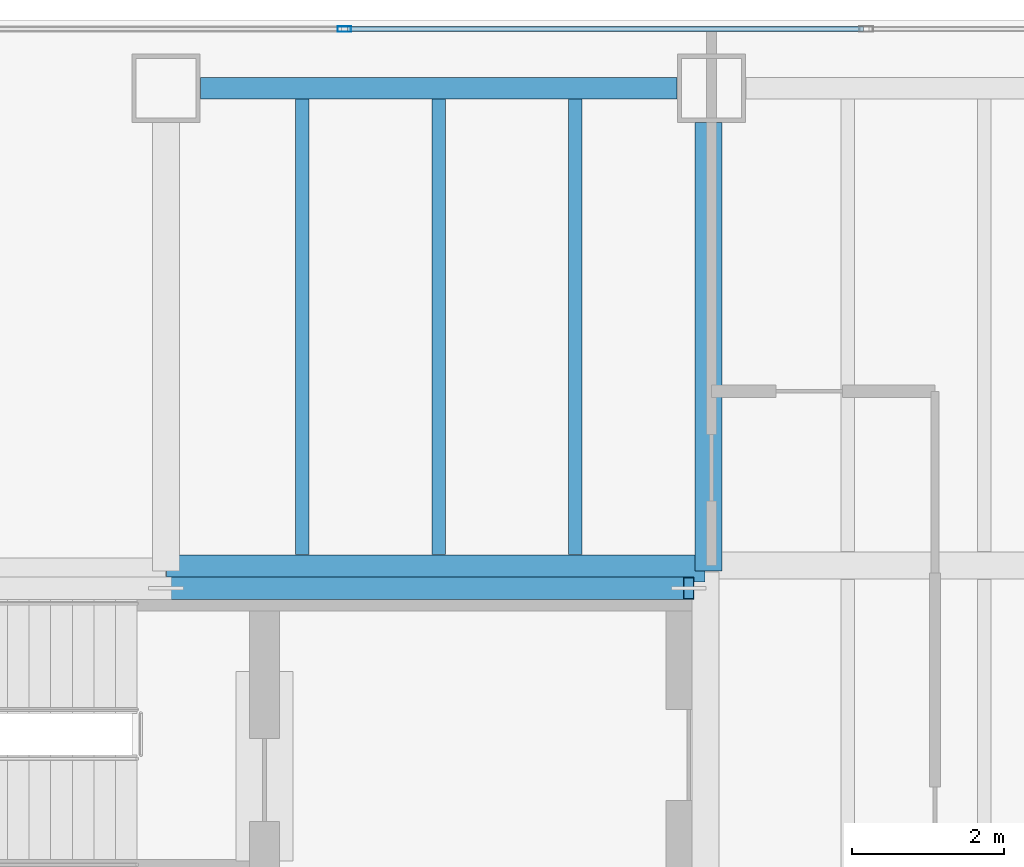
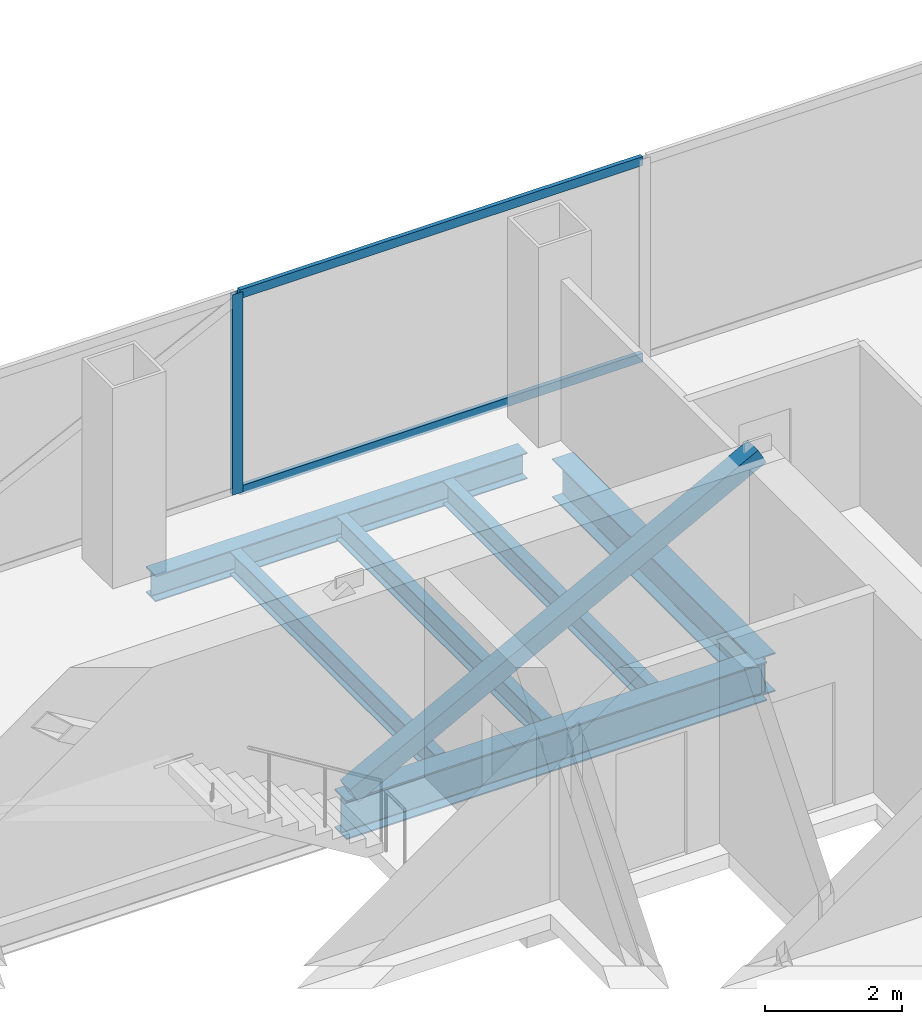
# One storey, part 17 of 24: 6 beams, 4 members, 1 element without a shape of its own.
"""IFC4 building model written with IfcOpenShell, lengths in metres."""

from ifc_helpers import new_model, si_unit, direction, frame, origin, origin_2d, place, context, subcontext, project, spatial, hollow_rectangle, i_section, extrude, material, material_profile, profile_set, type_object, element, aggregate, save


model = new_model("IFC4")

# Units and contexts
model_context = context("Model", 3, precision=1e-05, world=origin(), true_north=direction((0.0, 1.0)))
body_context = subcontext(model_context, "Body", "Model", "MODEL_VIEW")
ifc_project = project(units=[si_unit("LENGTHUNIT", "METRE"), si_unit("AREAUNIT", "SQUARE_METRE"), si_unit("VOLUMEUNIT", "CUBIC_METRE"), si_unit("PLANEANGLEUNIT", "RADIAN"), si_unit("MASSUNIT", "GRAM", prefix="KILO")], contexts=[model_context])

# Site, building, storey
site_placement = place(None, origin())
site = spatial("IfcSite", under=ifc_project, at=site_placement, CompositionType="ELEMENT")
building_placement = place(site_placement, origin())
building = spatial("IfcBuilding", under=site, at=building_placement, Name="Cobrela Telecom Tower", CompositionType="ELEMENT")
storey_placement = place(building_placement, frame((0.0, 0.0, 136.85009765625)))
storey = spatial("IfcBuildingStorey", under=building, at=storey_placement, Name="L34", CompositionType="ELEMENT", Elevation=136.85009765625)

# Beams
ifc_material_1 = material(Name="Steel ASTM A992 Grade 50", Category="steel")
ifc_material_profile_1 = material_profile(ifc_material_1, i_section(OverallWidth=0.35595703125, OverallDepth=0.696044921875, WebThickness=0.015380859375, FlangeThickness=0.024658203125, FilletRadius=0.01806640625, at=origin_2d()), Name="W27X146")
ifc_profile_set_1 = profile_set([ifc_material_profile_1], Name="Steel ASTM A992 Grade 50")
beam_type_1 = type_object("IfcBeamType", Name="BM-GIRD-05", PredefinedType="USERDEFINED", material=ifc_profile_set_1)
beam_1_placement = place(storey_placement, frame((7.205078125, 35.9599609375, -0.6181640625), z_axis=(1.0, 0.0, 0.0), x_axis=(0.0, 1.0, 0.0)))
element("IfcBeam", 1, at=beam_1_placement, inside=storey, type_object=beam_type_1, Name="L34 Primary Girder X26", ObjectType="GIRDER", PredefinedType="USERDEFINED", context=body_context, shape_type="SweptSolid", body=[
    extrude(i_section(OverallWidth=0.35595703125, OverallDepth=0.696044921875, WebThickness=0.015380859375, FlangeThickness=0.024658203125, FilletRadius=0.01806640625, at=origin_2d()), origin(), (0.0, 0.0, 1.0), 7.10986328125),
])
beam_2_placement = place(storey_placement, frame((14.360107421875, 35.925048828125, -0.6181640625), z_axis=(0.0, 1.0, 0.0), x_axis=(-1.0, 0.0, 0.0)))
element("IfcBeam", 2, at=beam_2_placement, inside=storey, type_object=beam_type_1, Name="L34 Primary Girder Y38", ObjectType="GIRDER", PredefinedType="USERDEFINED", context=body_context, shape_type="SweptSolid", body=[
    extrude(i_section(OverallWidth=0.35595703125, OverallDepth=0.696044921875, WebThickness=0.015380859375, FlangeThickness=0.024658203125, FilletRadius=0.01806640625, at=origin_2d()), origin(), (0.0, 0.0, 1.0), 5.919921875),
])
ifc_material_profile_2 = material_profile(ifc_material_1, i_section(OverallWidth=0.179931640625, OverallDepth=0.4169921875, WebThickness=0.010986328125, FlangeThickness=0.01806640625, FilletRadius=0.011962890625, at=origin_2d()), Name="W16X57")
ifc_profile_set_2 = profile_set([ifc_material_profile_2], Name="Steel ASTM A992 Grade 50")
beam_type_2 = type_object("IfcBeamType", Name="BM-JOIST-04", PredefinedType="JOIST", material=ifc_profile_set_2)
for number, where, z_axis, x_axis, name in (
    (3, (9.0, 36.14306640625, -0.478515625), (0.0, 1.0, 0.0), (-1.0, 0.0, 0.0), "L34 Secondary Composite Floor Beam J01"),
    (4, (10.800048828125, 36.14306640625, -0.478515625), (0.0, 1.0, 0.0), (-1.0, 0.0, 0.0), "L34 Secondary Composite Floor Beam J02"),
    (5, (12.60009765625, 36.14306640625, -0.478515625), (0.0, 1.0, 0.0), (-1.0, 0.0, 0.0), "L34 Secondary Composite Floor Beam J03"),
):
    element("IfcBeam", number, at=place(storey_placement, frame(where, z_axis=z_axis, x_axis=x_axis)), inside=storey, type_object=beam_type_2, Name=name, PredefinedType="JOIST", context=body_context, shape_type="SweptSolid", body=[
        extrude(i_section(OverallWidth=0.179931640625, OverallDepth=0.4169921875, WebThickness=0.010986328125, FlangeThickness=0.01806640625, FilletRadius=0.011962890625, at=origin_2d()), origin(), (0.0, 0.0, 1.0), 6.010986328125),
    ])
ifc_material_profile_3 = material_profile(ifc_material_1, i_section(OverallWidth=0.281982421875, OverallDepth=0.467041015625, WebThickness=0.01220703125, FlangeThickness=0.01953125, FilletRadius=0.012939453125, at=origin_2d()), Name="W18X86")
ifc_profile_set_3 = profile_set([ifc_material_profile_3], Name="Steel ASTM A992 Grade 50")
beam_type_3 = type_object("IfcBeamType", Name="BM-SPAND-04", PredefinedType="SPANDREL", material=ifc_profile_set_3)
beam_3_placement = place(storey_placement, frame((7.655029296875, 42.300048828125, -0.503662109375), z_axis=(1.0, 0.0, 0.0), x_axis=(0.0, 1.0, 0.0)))
element("IfcBeam", 6, at=beam_3_placement, inside=storey, type_object=beam_type_3, Name="L34 Perimeter Spandrel X29", PredefinedType="SPANDREL", context=body_context, shape_type="SweptSolid", body=[
    extrude(i_section(OverallWidth=0.281982421875, OverallDepth=0.467041015625, WebThickness=0.01220703125, FlangeThickness=0.01953125, FilletRadius=0.012939453125, at=origin_2d()), origin(), (0.0, 0.0, 1.0), 6.2900390625),
])

# Curtain wall, members
ifc_material_2 = material(Name="Anodized Bronze Aluminium 6063-T6", Category="aluminium")
curtain_wall_type = type_object("IfcCurtainWallType", Name="CW-SYS-TEL", PredefinedType="USERDEFINED", material=ifc_material_2)
curtain_wall_placement = place(storey_placement, origin())
curtain_wall = element("IfcCurtainWall", 7, at=curtain_wall_placement, inside=storey, type_object=curtain_wall_type, Name="L34 Unitised Bronze Curtain Wall 07", ObjectType="UNITISED CURTAIN WALL", PredefinedType="USERDEFINED")
ifc_material_profile_4 = material_profile(ifc_material_2, hollow_rectangle(XDim=0.074951171875, YDim=0.179931640625, WallThickness=0.00390625, at=origin_2d()), Name="ALU 75x180x4")
ifc_profile_set_4 = profile_set([ifc_material_profile_4], Name="Anodized Bronze Aluminium 6063-T6")
member_type_1 = type_object("IfcMemberType", Name="CW-SYS-TEL-MUL", PredefinedType="MULLION", material=ifc_profile_set_4)
member_1_placement = place(storey_placement, frame((9.556640625, 43.080078125, 0.0), z_axis=(0.0, 0.0, 1.0), x_axis=(0.0, 1.0, 0.0)))
member_1 = element("IfcMember", 8, at=member_1_placement, type_object=member_type_1, Name="CW-TEL mullion 2", PredefinedType="MULLION", context=body_context, shape_type="SweptSolid", body=[
    extrude(hollow_rectangle(XDim=0.074951171875, YDim=0.179931640625, WallThickness=0.00390625, at=origin_2d()), origin(), (0.0, 0.0, 1.0), 3.579833984375),
])
ifc_material_profile_5 = material_profile(ifc_material_2, hollow_rectangle(XDim=0.070068359375, YDim=0.159912109375, WallThickness=0.00390625, at=origin_2d()), Name="ALU 70x160x4")
ifc_profile_set_5 = profile_set([ifc_material_profile_5], Name="Anodized Bronze Aluminium 6063-T6")
member_type_2 = type_object("IfcMemberType", Name="CW-SYS-TEL-TRN", PredefinedType="USERDEFINED", material=ifc_profile_set_5)
member_2_placement = place(storey_placement, frame((9.59423828125, 43.080078125, 0.034912109375), z_axis=(1.0, 0.0, 0.0), x_axis=(0.0, 1.0, 0.0)))
member_2 = element("IfcMember", 9, at=member_2_placement, type_object=member_type_2, Name="CW-TEL transom 2.1", ObjectType="TRANSOM", PredefinedType="USERDEFINED", context=body_context, shape_type="SweptSolid", body=[
    extrude(hollow_rectangle(XDim=0.070068359375, YDim=0.159912109375, WallThickness=0.00390625, at=origin_2d()), origin(), (0.0, 0.0, 1.0), 6.8115234375),
])
member_3_placement = place(storey_placement, frame((9.59423828125, 43.080078125, 3.544921875), z_axis=(1.0, 0.0, 0.0), x_axis=(0.0, 1.0, 0.0)))
member_3 = element("IfcMember", 10, at=member_3_placement, type_object=member_type_2, Name="CW-TEL transom 2.2", ObjectType="TRANSOM", PredefinedType="USERDEFINED", context=body_context, shape_type="SweptSolid", body=[
    extrude(hollow_rectangle(XDim=0.070068359375, YDim=0.159912109375, WallThickness=0.00390625, at=origin_2d()), origin(), (0.0, 0.0, 1.0), 6.8115234375),
])
aggregate(curtain_wall, [member_1, member_2, member_3])

# Member
ifc_material_3 = material(Name="Steel ASTM A572 Grade 50", Category="steel")
ifc_material_profile_6 = material_profile(ifc_material_3, hollow_rectangle(XDim=0.300048828125, YDim=0.300048828125, WallThickness=0.01611328125, at=origin_2d()), Name="HSS 300x300x16")
ifc_profile_set_6 = profile_set([ifc_material_profile_6], Name="Steel ASTM A572 Grade 50")
member_type_3 = type_object("IfcMemberType", Name="MBR-EXO-03", PredefinedType="BRACE", material=ifc_profile_set_6)
member_4_placement = place(storey_placement, frame((7.199951171875, 35.699951171875, -0.0400390625), z_axis=(0.883422698386, 0.0, 0.468576926423), x_axis=(0.0, 1.0, 0.0)))
element("IfcMember", 11, at=member_4_placement, inside=storey, type_object=member_type_3, Name="L34 Core Flange Steel Brace N2", PredefinedType="BRACE", context=body_context, shape_type="SweptSolid", body=[
    extrude(hollow_rectangle(XDim=0.300048828125, YDim=0.300048828125, WallThickness=0.01611328125, at=origin_2d()), origin(), (0.0, 0.0, 1.0), 7.810791015625),
])

save(model, "model.ifc")
